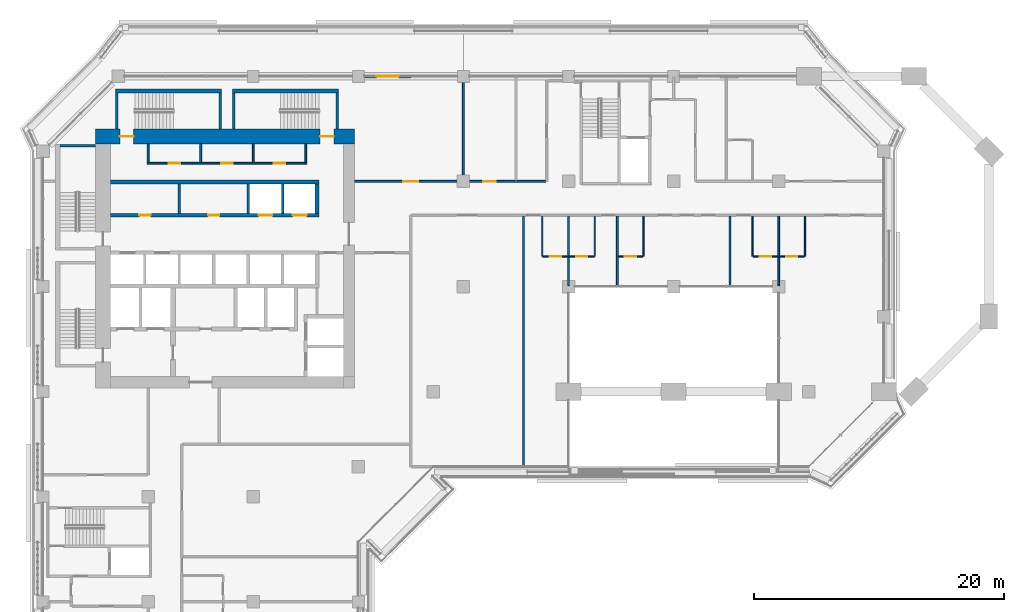
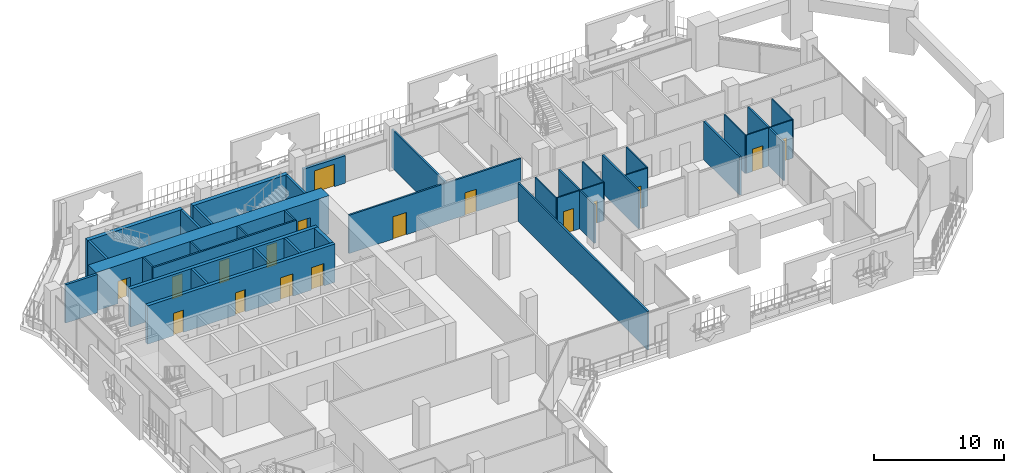
# One storey, part 13 of 23: 35 walls, 17 doors, 17 openings.
"""IFC4 building model written with IfcOpenShell, lengths in metres."""

from ifc_helpers import new_model, si_unit, direction, frame, frame_2d, origin, place, context, subcontext, project, spatial, rectangle, extrude, material, layer, layer_set, type_object, element, fill, save


model = new_model("IFC4")

# Units and contexts
model_context = context("Model", 3, precision=1e-05, world=origin(), true_north=direction((0.0, 1.0)))
body_context = subcontext(model_context, "Body", "Model", "MODEL_VIEW")
ifc_project = project(units=[si_unit("LENGTHUNIT", "METRE"), si_unit("AREAUNIT", "SQUARE_METRE"), si_unit("VOLUMEUNIT", "CUBIC_METRE"), si_unit("PLANEANGLEUNIT", "RADIAN"), si_unit("MASSUNIT", "GRAM", prefix="KILO")], contexts=[model_context])

# Site, building, storey
site_placement = place(None, origin())
site = spatial("IfcSite", under=ifc_project, at=site_placement, CompositionType="ELEMENT")
building_placement = place(site_placement, origin())
building = spatial("IfcBuilding", under=site, at=building_placement, Name="Kawkab Arch Medical Tower", CompositionType="ELEMENT")
storey_placement = place(building_placement, frame((0.0, 0.0, 166.800048828125)))
storey = spatial("IfcBuildingStorey", under=building, at=storey_placement, Name="L38", CompositionType="ELEMENT", Elevation=166.800048828125)

# Wall, openings, doors
ifc_material_1 = material(Name="Concrete C55/67", Category="concrete")
ifc_layer_1 = layer(ifc_material_1, 1.199951171875)
ifc_layer_set_1 = layer_set([ifc_layer_1], Name="Concrete C55/67")
wall_type_1 = type_object("IfcWallType", Name="Core ring wall 1200 C55/67", PredefinedType="SHEAR", material=ifc_layer_set_1)
wall_1_placement = place(storey_placement, frame((4.199951171875, -4.800048828125, 0.0), z_axis=(0.0, 0.0, 1.0), x_axis=(1.0, 0.0, 0.0)))
wall_1 = element("IfcWall", 1, at=wall_1_placement, inside=storey, type_object=wall_type_1, Name="L38 core wall", PredefinedType="SHEAR", context=body_context, shape_type="SweptSolid", body=[
    extrude(rectangle(XDim=20.699951171875, YDim=1.199951171875, at=frame_2d((10.35009765625, 0.0))), origin(), (0.0, 0.0, 1.0), 3.599853515625),
])
opening_1_placement = place(wall_1_placement, frame((1.949951171875, 0.0, 0.0)))
opening_1 = element("IfcOpeningElement", 2, at=opening_1_placement, cuts=wall_1, Name="Opening SD", PredefinedType="OPENING", context=body_context, shape_type="SweptSolid", body=[
    extrude(rectangle(XDim=1.10009765625, YDim=2.10009765625, at=frame_2d((0.550048828125, 1.050048828125))), frame((0.0, 0.60986328125, 0.0), z_axis=(0.0, -1.0, 0.0), x_axis=(1.0, 0.0, 0.0)), (0.0, 0.0, 1.0), 1.219970703125),
])
opening_2_placement = place(wall_1_placement, frame((17.949951171875, 0.0, 0.0)))
opening_2 = element("IfcOpeningElement", 3, at=opening_2_placement, cuts=wall_1, Name="Opening SD", PredefinedType="OPENING", context=body_context, shape_type="SweptSolid", body=[
    extrude(rectangle(XDim=1.10009765625, YDim=2.10009765625, at=frame_2d((0.550048828125, 1.050048828125))), frame((0.0, 0.60986328125, 0.0), z_axis=(0.0, -1.0, 0.0), x_axis=(1.0, 0.0, 0.0)), (0.0, 0.0, 1.0), 1.219970703125),
])
ifc_material_2 = material(Name="Hollow metal fire door leaf")
door_type_1 = type_object("IfcDoorType", Name="Exit stair door 1100", OperationType="SINGLE_SWING_LEFT", PredefinedType="DOOR", material=ifc_material_2)
door_1_placement = place(opening_1_placement, origin())
door_1 = element("IfcDoor", 4, at=door_1_placement, inside=storey, type_object=door_type_1, Name="L38 Exit stair ST3 door", OperationType="SINGLE_SWING_LEFT", OverallHeight=2.10009765625, OverallWidth=1.10009765625, PredefinedType="DOOR", context=body_context, shape_type="SweptSolid", body=[
    extrude(rectangle(XDim=1.10009765625, YDim=2.10009765625, at=frame_2d((0.550048828125, 1.050048828125))), frame((0.0, 0.02490234375, 0.0), z_axis=(0.0, -1.0, 0.0), x_axis=(1.0, 0.0, 0.0)), (0.0, 0.0, 1.0), 0.050048828125),
])
fill(opening_1, door_1)
door_2_placement = place(opening_2_placement, origin())
door_2 = element("IfcDoor", 5, at=door_2_placement, inside=storey, type_object=door_type_1, Name="L38 Exit stair ST4 door", OperationType="SINGLE_SWING_LEFT", OverallHeight=2.10009765625, OverallWidth=1.10009765625, PredefinedType="DOOR", context=body_context, shape_type="SweptSolid", body=[
    extrude(rectangle(XDim=1.10009765625, YDim=2.10009765625, at=frame_2d((0.550048828125, 1.050048828125))), frame((0.0, 0.02490234375, 0.0), z_axis=(0.0, -1.0, 0.0), x_axis=(1.0, 0.0, 0.0)), (0.0, 0.0, 1.0), 0.050048828125),
])
fill(opening_2, door_2)

ifc_material_3 = material(Name="Gypsum board on steel studs", Category="steel")
ifc_layer_2 = layer(ifc_material_3, 0.14990234375)
ifc_layer_set_2 = layer_set([ifc_layer_2], Name="Gypsum board on steel studs")
wall_type_2 = type_object("IfcWallType", Name="Core room partition 150", PredefinedType="PARTITIONING", material=ifc_layer_set_2)
wall_2_placement = place(storey_placement, frame((8.324951171875, -6.949951171875, 0.0), z_axis=(0.0, 0.0, 1.0), x_axis=(1.0, 0.0, 0.0)))
wall_2 = element("IfcWall", 6, at=wall_2_placement, inside=storey, type_object=wall_type_2, Name="L38 core room partition", PredefinedType="PARTITIONING", context=body_context, shape_type="SweptSolid", body=[
    extrude(rectangle(XDim=12.75, YDim=0.14990234375, at=frame_2d((6.375, 0.0))), origin(), (0.0, 0.0, 1.0), 3.599853515625),
])
opening_3_placement = place(wall_2_placement, frame((1.72509765625, 0.0, 0.0)))
opening_3 = element("IfcOpeningElement", 7, at=opening_3_placement, cuts=wall_2, Name="Opening RD", PredefinedType="OPENING", context=body_context, shape_type="SweptSolid", body=[
    extrude(rectangle(XDim=0.89990234375, YDim=2.10009765625, at=frame_2d((0.449951171875, 1.050048828125))), frame((0.0, 0.0849609375, 0.0), z_axis=(0.0, -1.0, 0.0), x_axis=(1.0, 0.0, 0.0)), (0.0, 0.0, 1.0), 0.169921875),
])
opening_4_placement = place(wall_2_placement, frame((5.925048828125, 0.0, 0.0)))
opening_4 = element("IfcOpeningElement", 8, at=opening_4_placement, cuts=wall_2, Name="Opening RD", PredefinedType="OPENING", context=body_context, shape_type="SweptSolid", body=[
    extrude(rectangle(XDim=0.89990234375, YDim=2.10009765625, at=frame_2d((0.449951171875, 1.050048828125))), frame((0.0, 0.0849609375, 0.0), z_axis=(0.0, -1.0, 0.0), x_axis=(1.0, 0.0, 0.0)), (0.0, 0.0, 1.0), 0.169921875),
])
opening_5_placement = place(wall_2_placement, frame((10.125, 0.0, 0.0)))
opening_5 = element("IfcOpeningElement", 9, at=opening_5_placement, cuts=wall_2, Name="Opening RD", PredefinedType="OPENING", context=body_context, shape_type="SweptSolid", body=[
    extrude(rectangle(XDim=0.89990234375, YDim=2.10009765625, at=frame_2d((0.449951171875, 1.050048828125))), frame((0.0, 0.0849609375, 0.0), z_axis=(0.0, -1.0, 0.0), x_axis=(1.0, 0.0, 0.0)), (0.0, 0.0, 1.0), 0.169921875),
])
ifc_material_4 = material(Name="Hollow metal fire door leaf")
door_type_2 = type_object("IfcDoorType", Name="Core room door 900", OperationType="SINGLE_SWING_LEFT", PredefinedType="DOOR", material=ifc_material_4)
door_3_placement = place(opening_3_placement, origin())
door_3 = element("IfcDoor", 10, at=door_3_placement, inside=storey, type_object=door_type_2, Name="L38 Sprinkler valve room door", OperationType="SINGLE_SWING_LEFT", OverallHeight=2.10009765625, OverallWidth=0.89990234375, PredefinedType="DOOR", context=body_context, shape_type="SweptSolid", body=[
    extrude(rectangle(XDim=0.89990234375, YDim=2.10009765625, at=frame_2d((0.449951171875, 1.050048828125))), frame((0.0, 0.02490234375, 0.0), z_axis=(0.0, -1.0, 0.0), x_axis=(1.0, 0.0, 0.0)), (0.0, 0.0, 1.0), 0.050048828125),
])
fill(opening_3, door_3)
door_4_placement = place(opening_4_placement, origin())
door_4 = element("IfcDoor", 11, at=door_4_placement, inside=storey, type_object=door_type_2, Name="L38 Data room door", OperationType="SINGLE_SWING_LEFT", OverallHeight=2.10009765625, OverallWidth=0.89990234375, PredefinedType="DOOR", context=body_context, shape_type="SweptSolid", body=[
    extrude(rectangle(XDim=0.89990234375, YDim=2.10009765625, at=frame_2d((0.449951171875, 1.050048828125))), frame((0.0, 0.02490234375, 0.0), z_axis=(0.0, -1.0, 0.0), x_axis=(1.0, 0.0, 0.0)), (0.0, 0.0, 1.0), 0.050048828125),
])
fill(opening_4, door_4)
door_5_placement = place(opening_5_placement, origin())
door_5 = element("IfcDoor", 12, at=door_5_placement, inside=storey, type_object=door_type_2, Name="L38 Electrical riser room door", OperationType="SINGLE_SWING_LEFT", OverallHeight=2.10009765625, OverallWidth=0.89990234375, PredefinedType="DOOR", context=body_context, shape_type="SweptSolid", body=[
    extrude(rectangle(XDim=0.89990234375, YDim=2.10009765625, at=frame_2d((0.449951171875, 1.050048828125))), frame((0.0, 0.02490234375, 0.0), z_axis=(0.0, -1.0, 0.0), x_axis=(1.0, 0.0, 0.0)), (0.0, 0.0, 1.0), 0.050048828125),
])
fill(opening_5, door_5)

# Walls
for number, where, z_axis, x_axis, name in (
    (13, (8.39990234375, -6.875, 0.0), (0.0, 0.0, 1.0), (0.0, 1.0, 0.0), "L38 core room partition"),
    (14, (12.60009765625, -6.875, 0.0), (0.0, 0.0, 1.0), (0.0, 1.0, 0.0), "L38 core room partition"),
    (15, (16.800048828125, -6.875, 0.0), (0.0, 0.0, 1.0), (0.0, 1.0, 0.0), "L38 core room partition"),
    (16, (21.0, -6.875, 0.0), (0.0, 0.0, 1.0), (0.0, 1.0, 0.0), "L38 core room partition"),
):
    element("IfcWall", number, at=place(storey_placement, frame(where, z_axis=z_axis, x_axis=x_axis)), inside=storey, type_object=wall_type_2, Name=name, PredefinedType="PARTITIONING", context=body_context, shape_type="SweptSolid", body=[
        extrude(rectangle(XDim=1.47509765625, YDim=0.14990234375, at=frame_2d((0.737548828125, 0.0))), origin(), (0.0, 0.0, 1.0), 3.599853515625),
    ])
ifc_material_5 = material(Name="Concrete C60/75", Category="concrete")
ifc_layer_3 = layer(ifc_material_5, 0.300048828125)
ifc_layer_set_3 = layer_set([ifc_layer_3], Name="Concrete C60/75")
wall_type_3 = type_object("IfcWallType", Name="Core shear wall 300 C60/75", PredefinedType="SHEAR", material=ifc_layer_set_3)
wall_3_placement = place(storey_placement, frame((5.39990234375, -8.449951171875, 0.0), z_axis=(0.0, 0.0, 1.0), x_axis=(1.0, 0.0, 0.0)))
element("IfcWall", 17, at=wall_3_placement, inside=storey, type_object=wall_type_3, Name="L38 core shear wall", PredefinedType="SHEAR", context=body_context, shape_type="SweptSolid", body=[
    extrude(rectangle(XDim=16.650146484375, YDim=0.300048828125, at=frame_2d((8.3251953125, 0.0))), origin(), (0.0, 0.0, 1.0), 3.599853515625),
])

# Wall, openings, doors
wall_4_placement = place(storey_placement, frame((5.39990234375, -11.10009765625, 0.0), z_axis=(0.0, 0.0, 1.0), x_axis=(1.0, 0.0, 0.0)))
wall_4 = element("IfcWall", 18, at=wall_4_placement, inside=storey, type_object=wall_type_3, Name="L38 core shear wall", PredefinedType="SHEAR", context=body_context, shape_type="SweptSolid", body=[
    extrude(rectangle(XDim=16.650146484375, YDim=0.300048828125, at=frame_2d((8.3251953125, 0.0))), origin(), (0.0, 0.0, 1.0), 3.599853515625),
])
opening_6_placement = place(wall_4_placement, frame((11.824951171875, 0.0, 0.0)))
opening_6 = element("IfcOpeningElement", 19, at=opening_6_placement, cuts=wall_4, Name="Opening LD1", PredefinedType="OPENING", context=body_context, shape_type="SweptSolid", body=[
    extrude(rectangle(XDim=1.10009765625, YDim=2.10009765625, at=frame_2d((0.550048828125, 1.050048828125))), frame((0.0, 0.159912109375, 0.0), z_axis=(0.0, -1.0, 0.0), x_axis=(1.0, 0.0, 0.0)), (0.0, 0.0, 1.0), 0.320068359375),
])
opening_7_placement = place(wall_4_placement, frame((14.574951171875, 0.0, 0.0)))
opening_7 = element("IfcOpeningElement", 20, at=opening_7_placement, cuts=wall_4, Name="Opening LD1", PredefinedType="OPENING", context=body_context, shape_type="SweptSolid", body=[
    extrude(rectangle(XDim=1.10009765625, YDim=2.10009765625, at=frame_2d((0.550048828125, 1.050048828125))), frame((0.0, 0.159912109375, 0.0), z_axis=(0.0, -1.0, 0.0), x_axis=(1.0, 0.0, 0.0)), (0.0, 0.0, 1.0), 0.320068359375),
])
opening_8_placement = place(wall_4_placement, frame((2.300048828125, 0.0, 0.0)))
opening_8 = element("IfcOpeningElement", 21, at=opening_8_placement, cuts=wall_4, Name="Opening RD", PredefinedType="OPENING", context=body_context, shape_type="SweptSolid", body=[
    extrude(rectangle(XDim=0.89990234375, YDim=2.10009765625, at=frame_2d((0.449951171875, 1.050048828125))), frame((0.0, 0.159912109375, 0.0), z_axis=(0.0, -1.0, 0.0), x_axis=(1.0, 0.0, 0.0)), (0.0, 0.0, 1.0), 0.320068359375),
])
opening_9_placement = place(wall_4_placement, frame((7.800048828125, 0.0, 0.0)))
opening_9 = element("IfcOpeningElement", 22, at=opening_9_placement, cuts=wall_4, Name="Opening RD", PredefinedType="OPENING", context=body_context, shape_type="SweptSolid", body=[
    extrude(rectangle(XDim=0.89990234375, YDim=2.10009765625, at=frame_2d((0.449951171875, 1.050048828125))), frame((0.0, 0.159912109375, 0.0), z_axis=(0.0, -1.0, 0.0), x_axis=(1.0, 0.0, 0.0)), (0.0, 0.0, 1.0), 0.320068359375),
])
door_6_placement = place(opening_8_placement, origin())
door_6 = element("IfcDoor", 23, at=door_6_placement, inside=storey, type_object=door_type_2, Name="L38 Ward pantry door", OperationType="SINGLE_SWING_LEFT", OverallHeight=2.10009765625, OverallWidth=0.89990234375, PredefinedType="DOOR", context=body_context, shape_type="SweptSolid", body=[
    extrude(rectangle(XDim=0.89990234375, YDim=2.10009765625, at=frame_2d((0.449951171875, 1.050048828125))), frame((0.0, 0.02490234375, 0.0), z_axis=(0.0, -1.0, 0.0), x_axis=(1.0, 0.0, 0.0)), (0.0, 0.0, 1.0), 0.050048828125),
])
fill(opening_8, door_6)
door_7_placement = place(opening_9_placement, origin())
door_7 = element("IfcDoor", 24, at=door_7_placement, inside=storey, type_object=door_type_2, Name="L38 Comms room door", OperationType="SINGLE_SWING_LEFT", OverallHeight=2.10009765625, OverallWidth=0.89990234375, PredefinedType="DOOR", context=body_context, shape_type="SweptSolid", body=[
    extrude(rectangle(XDim=0.89990234375, YDim=2.10009765625, at=frame_2d((0.449951171875, 1.050048828125))), frame((0.0, 0.02490234375, 0.0), z_axis=(0.0, -1.0, 0.0), x_axis=(1.0, 0.0, 0.0)), (0.0, 0.0, 1.0), 0.050048828125),
])
fill(opening_9, door_7)
ifc_material_6 = material(Name="Stainless steel lift door leaf", Category="steel")
door_type_3 = type_object("IfcDoorType", Name="Lift landing door 1100", OperationType="DOUBLE_DOOR_SLIDING", PredefinedType="DOOR", material=ifc_material_6)
door_8_placement = place(opening_6_placement, origin())
door_8 = element("IfcDoor", 25, at=door_8_placement, inside=storey, type_object=door_type_3, Name="L38 Lift landing door MP1", OperationType="DOUBLE_DOOR_SLIDING", OverallHeight=2.10009765625, OverallWidth=1.10009765625, PredefinedType="DOOR", context=body_context, shape_type="SweptSolid", body=[
    extrude(rectangle(XDim=1.10009765625, YDim=2.10009765625, at=frame_2d((0.550048828125, 1.050048828125))), frame((0.0, 0.02490234375, 0.0), z_axis=(0.0, -1.0, 0.0), x_axis=(1.0, 0.0, 0.0)), (0.0, 0.0, 1.0), 0.050048828125),
])
fill(opening_6, door_8)
door_9_placement = place(opening_7_placement, origin())
door_9 = element("IfcDoor", 26, at=door_9_placement, inside=storey, type_object=door_type_3, Name="L38 Lift landing door MP2", OperationType="DOUBLE_DOOR_SLIDING", OverallHeight=2.10009765625, OverallWidth=1.10009765625, PredefinedType="DOOR", context=body_context, shape_type="SweptSolid", body=[
    extrude(rectangle(XDim=1.10009765625, YDim=2.10009765625, at=frame_2d((0.550048828125, 1.050048828125))), frame((0.0, 0.02490234375, 0.0), z_axis=(0.0, -1.0, 0.0), x_axis=(1.0, 0.0, 0.0)), (0.0, 0.0, 1.0), 0.050048828125),
])
fill(opening_7, door_9)

# Wall
wall_5_placement = place(storey_placement, frame((21.89990234375, -10.949951171875, 0.0), z_axis=(0.0, 0.0, 1.0), x_axis=(0.0, 1.0, 0.0)))
element("IfcWall", 27, at=wall_5_placement, inside=storey, type_object=wall_type_3, Name="L38 core shear wall", PredefinedType="SHEAR", context=body_context, shape_type="SweptSolid", body=[
    extrude(rectangle(XDim=2.349853515625, YDim=0.300048828125, at=frame_2d((1.1748046875, 0.0))), origin(), (0.0, 0.0, 1.0), 3.599853515625),
])

# Wall, opening, door
ifc_material_7 = material(Name="Bronze clad insulated wall panel")
ifc_layer_4 = layer(ifc_material_7, 0.25)
ifc_layer_set_4 = layer_set([ifc_layer_4], Name="Bronze clad insulated wall panel")
wall_type_4 = type_object("IfcWallType", Name="External wall bay 250", PredefinedType="SOLIDWALL", material=ifc_layer_set_4)
wall_6_placement = place(storey_placement, frame((29.39990234375, 0.0, 0.0), z_axis=(0.0, 0.0, 1.0), x_axis=(-1.0, 0.0, 0.0)))
wall_6 = element("IfcWall", 28, at=wall_6_placement, inside=storey, type_object=wall_type_4, Name="External wall bay L38.R09.4.2", PredefinedType="SOLIDWALL", context=body_context, shape_type="SweptSolid", body=[
    extrude(rectangle(XDim=3.724853515625, YDim=0.25, at=frame_2d((1.8623046875, 0.0))), origin(), (0.0, 0.0, 1.0), 2.579833984375),
])
opening_10_placement = place(wall_6_placement, frame((0.96240234375, 0.0, 0.0)))
opening_10 = element("IfcOpeningElement", 29, at=opening_10_placement, cuts=wall_6, Name="Opening B38-701", PredefinedType="OPENING", context=body_context, shape_type="SweptSolid", body=[
    extrude(rectangle(XDim=1.800048828125, YDim=2.10009765625, at=frame_2d((0.89990234375, 1.050048828125))), frame((0.0, 0.135009765625, 0.0), z_axis=(0.0, -1.0, 0.0), x_axis=(1.0, 0.0, 0.0)), (0.0, 0.0, 1.0), 0.27001953125),
])
ifc_material_8 = material(Name="Bronze anodised aluminium door with tinted glass", Category="aluminium")
door_type_4 = type_object("IfcDoorType", Name="Double external door 1800 x 2100", OperationType="DOUBLE_DOOR_SINGLE_SWING", PredefinedType="DOOR", material=ifc_material_8)
door_10_placement = place(opening_10_placement, origin())
door_10 = element("IfcDoor", 30, at=door_10_placement, inside=storey, type_object=door_type_4, Name="External door L38.R09.4.2", OperationType="DOUBLE_DOOR_SINGLE_SWING", OverallHeight=2.10009765625, OverallWidth=1.800048828125, PredefinedType="DOOR", context=body_context, shape_type="SweptSolid", body=[
    extrude(rectangle(XDim=1.800048828125, YDim=2.10009765625, at=frame_2d((0.89990234375, 1.050048828125))), frame((0.0, 0.02490234375, 0.0), z_axis=(0.0, -1.0, 0.0), x_axis=(1.0, 0.0, 0.0)), (0.0, 0.0, 1.0), 0.050048828125),
])
fill(opening_10, door_10)

# Walls
ifc_material_9 = material(Name="Dense concrete blockwork", Category="masonry")
ifc_layer_5 = layer(ifc_material_9, 0.199951171875)
ifc_layer_set_5 = layer_set([ifc_layer_5], Name="Dense concrete blockwork")
wall_type_5 = type_object("IfcWallType", Name="Lift shaft partition 200", PredefinedType="PARTITIONING", material=ifc_layer_set_5)
for number, where, z_axis, x_axis, name in (
    (31, (10.89990234375, -10.949951171875, 0.0), (0.0, 0.0, 1.0), (0.0, 1.0, 0.0), "L38 lift shaft partition"),
    (32, (16.39990234375, -10.949951171875, 0.0), (0.0, 0.0, 1.0), (0.0, 1.0, 0.0), "L38 lift shaft partition"),
    (33, (19.14990234375, -10.949951171875, 0.0), (0.0, 0.0, 1.0), (0.0, 1.0, 0.0), "L38 lift shaft partition"),
):
    element("IfcWall", number, at=place(storey_placement, frame(where, z_axis=z_axis, x_axis=x_axis)), inside=storey, type_object=wall_type_5, Name=name, PredefinedType="PARTITIONING", context=body_context, shape_type="SweptSolid", body=[
        extrude(rectangle(XDim=2.349853515625, YDim=0.199951171875, at=frame_2d((1.1748046875, 0.0))), origin(), (0.0, 0.0, 1.0), 3.599853515625),
    ])

# Wall, openings, doors
ifc_material_10 = material(Name="Gypsum board partition on steel studs", Category="steel")
ifc_layer_6 = layer(ifc_material_10, 0.10009765625)
ifc_layer_set_6 = layer_set([ifc_layer_6], Name="Gypsum board partition on steel studs")
wall_type_6 = type_object("IfcWallType", Name="Partition 100", PredefinedType="PARTITIONING", material=ifc_layer_set_6)
wall_7_placement = place(storey_placement, frame((39.949951171875, -14.39990234375, 0.0), z_axis=(0.0, 0.0, 1.0), x_axis=(1.0, 0.0, 0.0)))
wall_7 = element("IfcWall", 34, at=wall_7_placement, inside=storey, type_object=wall_type_6, Name="Partition 100 w004", PredefinedType="PARTITIONING", context=body_context, shape_type="SweptSolid", body=[
    extrude(rectangle(XDim=4.10009765625, YDim=0.10009765625, at=frame_2d((2.050048828125, 0.0))), origin(), (0.0, 0.0, 1.0), 3.599853515625),
])
opening_11_placement = place(wall_7_placement, frame((0.550048828125, 0.0, 0.0)))
opening_11 = element("IfcOpeningElement", 35, at=opening_11_placement, cuts=wall_7, Name="Opening B38-006", PredefinedType="OPENING", context=body_context, shape_type="SweptSolid", body=[
    extrude(rectangle(XDim=0.89990234375, YDim=2.10009765625, at=frame_2d((0.449951171875, 1.050048828125))), frame((0.0, 0.06005859375, 0.0), z_axis=(0.0, -1.0, 0.0), x_axis=(1.0, 0.0, 0.0)), (0.0, 0.0, 1.0), 0.1201171875),
])
opening_12_placement = place(wall_7_placement, frame((2.64990234375, 0.0, 0.0)))
opening_12 = element("IfcOpeningElement", 36, at=opening_12_placement, cuts=wall_7, Name="Opening B38-007", PredefinedType="OPENING", context=body_context, shape_type="SweptSolid", body=[
    extrude(rectangle(XDim=0.89990234375, YDim=2.10009765625, at=frame_2d((0.449951171875, 1.050048828125))), frame((0.0, 0.06005859375, 0.0), z_axis=(0.0, -1.0, 0.0), x_axis=(1.0, 0.0, 0.0)), (0.0, 0.0, 1.0), 0.1201171875),
])
ifc_material_11 = material(Name="Timber door leaf", Category="wood")
door_type_5 = type_object("IfcDoorType", Name="Single door 900x2100", OperationType="NOTDEFINED", PredefinedType="DOOR", material=ifc_material_11)
door_11_placement = place(opening_11_placement, origin())
door_11 = element("IfcDoor", 37, at=door_11_placement, inside=storey, type_object=door_type_5, Name="Door B38-006", OperationType="SINGLE_SWING_RIGHT", OverallHeight=2.10009765625, OverallWidth=0.89990234375, PredefinedType="DOOR", context=body_context, shape_type="SweptSolid", body=[
    extrude(rectangle(XDim=0.89990234375, YDim=2.10009765625, at=frame_2d((0.449951171875, 1.050048828125))), frame((0.0, 0.02490234375, 0.0), z_axis=(0.0, -1.0, 0.0), x_axis=(1.0, 0.0, 0.0)), (0.0, 0.0, 1.0), 0.050048828125),
])
fill(opening_11, door_11)
door_12_placement = place(opening_12_placement, origin())
door_12 = element("IfcDoor", 38, at=door_12_placement, inside=storey, type_object=door_type_5, Name="Door B38-007", OperationType="SINGLE_SWING_LEFT", OverallHeight=2.10009765625, OverallWidth=0.89990234375, PredefinedType="DOOR", context=body_context, shape_type="SweptSolid", body=[
    extrude(rectangle(XDim=0.89990234375, YDim=2.10009765625, at=frame_2d((0.449951171875, 1.050048828125))), frame((0.0, 0.02490234375, 0.0), z_axis=(0.0, -1.0, 0.0), x_axis=(1.0, 0.0, 0.0)), (0.0, 0.0, 1.0), 0.050048828125),
])
fill(opening_12, door_12)

# Wall, opening, door
wall_8_placement = place(storey_placement, frame((45.97509765625, -14.39990234375, 0.0), z_axis=(0.0, 0.0, 1.0), x_axis=(1.0, 0.0, 0.0)))
wall_8 = element("IfcWall", 39, at=wall_8_placement, inside=storey, type_object=wall_type_6, Name="Partition 100 w005", PredefinedType="PARTITIONING", context=body_context, shape_type="SweptSolid", body=[
    extrude(rectangle(XDim=1.974853515625, YDim=0.10009765625, at=frame_2d((0.9873046875, 0.0))), origin(), (0.0, 0.0, 1.0), 3.599853515625),
])
opening_13_placement = place(wall_8_placement, frame((0.52490234375, 0.0, 0.0)))
opening_13 = element("IfcOpeningElement", 40, at=opening_13_placement, cuts=wall_8, Name="Opening B38-008", PredefinedType="OPENING", context=body_context, shape_type="SweptSolid", body=[
    extrude(rectangle(XDim=0.89990234375, YDim=2.10009765625, at=frame_2d((0.449951171875, 1.050048828125))), frame((0.0, 0.06005859375, 0.0), z_axis=(0.0, -1.0, 0.0), x_axis=(1.0, 0.0, 0.0)), (0.0, 0.0, 1.0), 0.1201171875),
])
door_13_placement = place(opening_13_placement, origin())
door_13 = element("IfcDoor", 41, at=door_13_placement, inside=storey, type_object=door_type_5, Name="Door B38-008", OperationType="SINGLE_SWING_RIGHT", OverallHeight=2.10009765625, OverallWidth=0.89990234375, PredefinedType="DOOR", context=body_context, shape_type="SweptSolid", body=[
    extrude(rectangle(XDim=0.89990234375, YDim=2.10009765625, at=frame_2d((0.449951171875, 1.050048828125))), frame((0.0, 0.02490234375, 0.0), z_axis=(0.0, -1.0, 0.0), x_axis=(1.0, 0.0, 0.0)), (0.0, 0.0, 1.0), 0.050048828125),
])
fill(opening_13, door_13)

# Wall, openings, doors
wall_9_placement = place(storey_placement, frame((56.75, -14.39990234375, 0.0), z_axis=(0.0, 0.0, 1.0), x_axis=(1.0, 0.0, 0.0)))
wall_9 = element("IfcWall", 42, at=wall_9_placement, inside=storey, type_object=wall_type_6, Name="Partition 100 w006", PredefinedType="PARTITIONING", context=body_context, shape_type="SweptSolid", body=[
    extrude(rectangle(XDim=4.097900390625, YDim=0.10009765625, at=frame_2d((2.048828125, 0.0))), origin(), (0.0, 0.0, 1.0), 3.599853515625),
])
opening_14_placement = place(wall_9_placement, frame((0.550048828125, 0.0, 0.0)))
opening_14 = element("IfcOpeningElement", 43, at=opening_14_placement, cuts=wall_9, Name="Opening B38-009", PredefinedType="OPENING", context=body_context, shape_type="SweptSolid", body=[
    extrude(rectangle(XDim=0.89990234375, YDim=2.10009765625, at=frame_2d((0.449951171875, 1.050048828125))), frame((0.0, 0.06005859375, 0.0), z_axis=(0.0, -1.0, 0.0), x_axis=(1.0, 0.0, 0.0)), (0.0, 0.0, 1.0), 0.1201171875),
])
opening_15_placement = place(wall_9_placement, frame((2.64892578125, 0.0, 0.0)))
opening_15 = element("IfcOpeningElement", 44, at=opening_15_placement, cuts=wall_9, Name="Opening B38-010", PredefinedType="OPENING", context=body_context, shape_type="SweptSolid", body=[
    extrude(rectangle(XDim=0.89990234375, YDim=2.10009765625, at=frame_2d((0.449951171875, 1.050048828125))), frame((0.0, 0.06005859375, 0.0), z_axis=(0.0, -1.0, 0.0), x_axis=(1.0, 0.0, 0.0)), (0.0, 0.0, 1.0), 0.1201171875),
])
door_14_placement = place(opening_14_placement, origin())
door_14 = element("IfcDoor", 45, at=door_14_placement, inside=storey, type_object=door_type_5, Name="Door B38-009", OperationType="SINGLE_SWING_RIGHT", OverallHeight=2.10009765625, OverallWidth=0.89990234375, PredefinedType="DOOR", context=body_context, shape_type="SweptSolid", body=[
    extrude(rectangle(XDim=0.89990234375, YDim=2.10009765625, at=frame_2d((0.449951171875, 1.050048828125))), frame((0.0, 0.02490234375, 0.0), z_axis=(0.0, -1.0, 0.0), x_axis=(1.0, 0.0, 0.0)), (0.0, 0.0, 1.0), 0.050048828125),
])
fill(opening_14, door_14)
door_15_placement = place(opening_15_placement, origin())
door_15 = element("IfcDoor", 46, at=door_15_placement, inside=storey, type_object=door_type_5, Name="Door B38-010", OperationType="SINGLE_SWING_LEFT", OverallHeight=2.10009765625, OverallWidth=0.89990234375, PredefinedType="DOOR", context=body_context, shape_type="SweptSolid", body=[
    extrude(rectangle(XDim=0.89990234375, YDim=2.10009765625, at=frame_2d((0.449951171875, 1.050048828125))), frame((0.0, 0.02490234375, 0.0), z_axis=(0.0, -1.0, 0.0), x_axis=(1.0, 0.0, 0.0)), (0.0, 0.0, 1.0), 0.050048828125),
])
fill(opening_15, door_15)

# Walls
for number, where, z_axis, x_axis, name in (
    (47, (39.89990234375, -14.39990234375, 0.0), (0.0, 0.0, 1.0), (0.0, 1.0, 0.0), "Partition 100 w010"),
    (48, (44.10009765625, -14.39990234375, 0.0), (0.0, 0.0, 1.0), (0.0, 1.0, 0.0), "Partition 100 w011"),
    (49, (48.0, -14.39990234375, 0.0), (0.0, 0.0, 1.0), (0.0, 1.0, 0.0), "Partition 100 w012"),
    (50, (56.699951171875, -14.39990234375, 0.0), (0.0, 0.0, 1.0), (0.0, 1.0, 0.0), "Partition 100 w013"),
):
    element("IfcWall", number, at=place(storey_placement, frame(where, z_axis=z_axis, x_axis=x_axis)), inside=storey, type_object=wall_type_6, Name=name, PredefinedType="PARTITIONING", context=body_context, shape_type="SweptSolid", body=[
        extrude(rectangle(XDim=3.224853515625, YDim=0.10009765625, at=frame_2d((1.6123046875, 0.0))), origin(), (0.0, 0.0, 1.0), 3.599853515625),
    ])
wall_10_placement = place(storey_placement, frame((60.89990234375, -14.39892578125, 0.0), z_axis=(0.0, 0.0, 1.0), x_axis=(0.0, 1.0, 0.0)))
element("IfcWall", 51, at=wall_10_placement, inside=storey, type_object=wall_type_6, Name="Partition 100 w015", PredefinedType="PARTITIONING", context=body_context, shape_type="SweptSolid", body=[
    extrude(rectangle(XDim=3.223876953125, YDim=0.10009765625, at=frame_2d((1.61181640625, 0.0))), origin(), (0.0, 0.0, 1.0), 3.599853515625),
])

# Wall, openings, doors
ifc_material_12 = material(Name="Gypsum board partition on steel studs, mineral wool", Category="steel")
ifc_layer_7 = layer(ifc_material_12, 0.14990234375)
ifc_layer_set_7 = layer_set([ifc_layer_7], Name="Gypsum board partition on steel studs, mineral wool")
wall_type_7 = type_object("IfcWallType", Name="Partition 150", PredefinedType="PARTITIONING", material=ifc_layer_set_7)
wall_11_placement = place(storey_placement, frame((24.89990234375, -8.39990234375, 0.0), z_axis=(0.0, 0.0, 1.0), x_axis=(1.0, 0.0, 0.0)))
wall_11 = element("IfcWall", 52, at=wall_11_placement, inside=storey, type_object=wall_type_7, Name="Partition 150 w030", PredefinedType="PARTITIONING", context=body_context, shape_type="SweptSolid", body=[
    extrude(rectangle(XDim=15.281982421875, YDim=0.14990234375, at=frame_2d((7.64111328125, 0.0))), origin(), (0.0, 0.0, 1.0), 3.599853515625),
])
opening_16_placement = place(wall_11_placement, frame((3.89990234375, 0.0, 0.0)))
opening_16 = element("IfcOpeningElement", 53, at=opening_16_placement, cuts=wall_11, Name="Opening B38-036", PredefinedType="OPENING", context=body_context, shape_type="SweptSolid", body=[
    extrude(rectangle(XDim=1.199951171875, YDim=2.10009765625, at=frame_2d((0.60009765625, 1.050048828125))), frame((0.0, 0.0849609375, 0.0), z_axis=(0.0, -1.0, 0.0), x_axis=(1.0, 0.0, 0.0)), (0.0, 0.0, 1.0), 0.169921875),
])
opening_17_placement = place(wall_11_placement, frame((10.300048828125, 0.0, 0.0)))
opening_17 = element("IfcOpeningElement", 54, at=opening_17_placement, cuts=wall_11, Name="Opening B38-016", PredefinedType="OPENING", context=body_context, shape_type="SweptSolid", body=[
    extrude(rectangle(XDim=1.0, YDim=2.10009765625, at=frame_2d((0.5, 1.050048828125))), frame((0.0, 0.0849609375, 0.0), z_axis=(0.0, -1.0, 0.0), x_axis=(1.0, 0.0, 0.0)), (0.0, 0.0, 1.0), 0.169921875),
])
ifc_material_13 = material(Name="Hollow metal door leaf")
door_type_6 = type_object("IfcDoorType", Name="Single door 1000x2100 FD30S", OperationType="NOTDEFINED", PredefinedType="DOOR", material=ifc_material_13)
door_16_placement = place(opening_17_placement, origin())
door_16 = element("IfcDoor", 55, at=door_16_placement, inside=storey, type_object=door_type_6, Name="Door B38-016", OperationType="SINGLE_SWING_RIGHT", OverallHeight=2.10009765625, OverallWidth=1.0, PredefinedType="DOOR", context=body_context, shape_type="SweptSolid", body=[
    extrude(rectangle(XDim=1.0, YDim=2.10009765625, at=frame_2d((0.5, 1.050048828125))), frame((0.0, 0.02490234375, 0.0), z_axis=(0.0, -1.0, 0.0), x_axis=(1.0, 0.0, 0.0)), (0.0, 0.0, 1.0), 0.050048828125),
])
fill(opening_17, door_16)
ifc_material_14 = material(Name="Hollow metal door leaf")
door_type_7 = type_object("IfcDoorType", Name="Single door 1200x2100 FD30S", OperationType="NOTDEFINED", PredefinedType="DOOR", material=ifc_material_14)
door_17_placement = place(opening_16_placement, origin())
door_17 = element("IfcDoor", 56, at=door_17_placement, inside=storey, type_object=door_type_7, Name="Door B38-036", OperationType="SINGLE_SWING_LEFT", OverallHeight=2.10009765625, OverallWidth=1.199951171875, PredefinedType="DOOR", context=body_context, shape_type="SweptSolid", body=[
    extrude(rectangle(XDim=1.199951171875, YDim=2.10009765625, at=frame_2d((0.60009765625, 1.050048828125))), frame((0.0, 0.02490234375, 0.0), z_axis=(0.0, -1.0, 0.0), x_axis=(1.0, 0.0, 0.0)), (0.0, 0.0, 1.0), 0.050048828125),
])
fill(opening_16, door_17)

# Walls
wall_12_placement = place(storey_placement, frame((33.60009765625, -8.324951171875, 0.0), z_axis=(0.0, 0.0, 1.0), x_axis=(0.0, 1.0, 0.0)))
element("IfcWall", 57, at=wall_12_placement, inside=storey, type_object=wall_type_7, Name="Partition 150 w042", PredefinedType="PARTITIONING", context=body_context, shape_type="SweptSolid", body=[
    extrude(rectangle(XDim=8.244873046875, YDim=0.14990234375, at=frame_2d((4.12255859375, 0.0))), origin(), (0.0, 0.0, 1.0), 3.599853515625),
])
wall_13_placement = place(storey_placement, frame((38.39990234375, -31.1201171875, 0.0), z_axis=(0.0, 0.0, 1.0), x_axis=(0.0, 1.0, 0.0)))
element("IfcWall", 58, at=wall_13_placement, inside=storey, type_object=wall_type_7, Name="Partition 150 w044", PredefinedType="PARTITIONING", context=body_context, shape_type="SweptSolid", body=[
    extrude(rectangle(XDim=19.945068359375, YDim=0.14990234375, at=frame_2d((9.97265625, 0.0))), origin(), (0.0, 0.0, 1.0), 3.599853515625),
])
for number, where, z_axis, x_axis, name in (
    (59, (42.0, -16.719970703125, 0.0), (0.0, 0.0, 1.0), (0.0, 1.0, 0.0), "Partition 150 w046"),
    (60, (45.89990234375, -16.719970703125, 0.0), (0.0, 0.0, 1.0), (0.0, 1.0, 0.0), "Partition 150 w047"),
    (61, (54.89990234375, -16.719970703125, 0.0), (0.0, 0.0, 1.0), (0.0, 1.0, 0.0), "Partition 150 w052"),
    (62, (58.800048828125, -16.719970703125, 0.0), (0.0, 0.0, 1.0), (0.0, 1.0, 0.0), "Partition 150 w053"),
):
    element("IfcWall", number, at=place(storey_placement, frame(where, z_axis=z_axis, x_axis=x_axis)), inside=storey, type_object=wall_type_7, Name=name, PredefinedType="PARTITIONING", context=body_context, shape_type="SweptSolid", body=[
        extrude(rectangle(XDim=5.544921875, YDim=0.14990234375, at=frame_2d((2.7724609375, 0.0))), origin(), (0.0, 0.0, 1.0), 3.599853515625),
    ])
ifc_material_15 = material(Name="Concrete C50/60", Category="concrete")
ifc_layer_8 = layer(ifc_material_15, 0.199951171875)
ifc_layer_set_8 = layer_set([ifc_layer_8], Name="Concrete C50/60")
wall_type_8 = type_object("IfcWallType", Name="Stair enclosure wall 200 C50/60", PredefinedType="SHEAR", material=ifc_layer_set_8)
for number, where, z_axis, x_axis, name in (
    (63, (1.35009765625, -5.550048828125, 0.0), (0.0, 0.0, 1.0), (1.0, 0.0, 0.0), "L38 stair enclosure wall"),
    (64, (5.89990234375, -4.199951171875, 0.0), (0.0, 0.0, 1.0), (0.0, 1.0, 0.0), "L38 stair enclosure wall"),
    (65, (14.14990234375, -4.199951171875, 0.0), (0.0, 0.0, 1.0), (0.0, 1.0, 0.0), "L38 stair enclosure wall"),
    (66, (15.25, -4.199951171875, 0.0), (0.0, 0.0, 1.0), (0.0, 1.0, 0.0), "L38 stair enclosure wall"),
    (67, (23.5, -4.199951171875, 0.0), (0.0, 0.0, 1.0), (0.0, 1.0, 0.0), "L38 stair enclosure wall"),
):
    element("IfcWall", number, at=place(storey_placement, frame(where, z_axis=z_axis, x_axis=x_axis)), inside=storey, type_object=wall_type_8, Name=name, PredefinedType="SHEAR", context=body_context, shape_type="SweptSolid", body=[
        extrude(rectangle(XDim=2.849853515625, YDim=0.199951171875, at=frame_2d((1.4248046875, 0.0))), origin(), (0.0, 0.0, 1.0), 3.599853515625),
    ])
ifc_material_16 = material(Name="Concrete C50/60", Category="concrete")
ifc_layer_9 = layer(ifc_material_16, 0.35009765625)
ifc_layer_set_9 = layer_set([ifc_layer_9], Name="Concrete C50/60")
wall_type_9 = type_object("IfcWallType", Name="Stair enclosure wall 350 C50/60", PredefinedType="SHEAR", material=ifc_layer_set_9)
wall_14_placement = place(storey_placement, frame((5.800048828125, -1.175048828125, 0.0), z_axis=(0.0, 0.0, 1.0), x_axis=(1.0, 0.0, 0.0)))
element("IfcWall", 68, at=wall_14_placement, inside=storey, type_object=wall_type_9, Name="L38 stair enclosure wall", PredefinedType="SHEAR", context=body_context, shape_type="SweptSolid", body=[
    extrude(rectangle(XDim=8.449951171875, YDim=0.35009765625, at=frame_2d((4.22509765625, 0.0))), origin(), (0.0, 0.0, 1.0), 3.599853515625),
])
wall_15_placement = place(storey_placement, frame((15.14990234375, -1.175048828125, 0.0), z_axis=(0.0, 0.0, 1.0), x_axis=(1.0, 0.0, 0.0)))
element("IfcWall", 69, at=wall_15_placement, inside=storey, type_object=wall_type_9, Name="L38 stair enclosure wall", PredefinedType="SHEAR", context=body_context, shape_type="SweptSolid", body=[
    extrude(rectangle(XDim=8.4501953125, YDim=0.35009765625, at=frame_2d((4.22509765625, 0.0))), origin(), (0.0, 0.0, 1.0), 3.599853515625),
])

save(model, "model.ifc")
